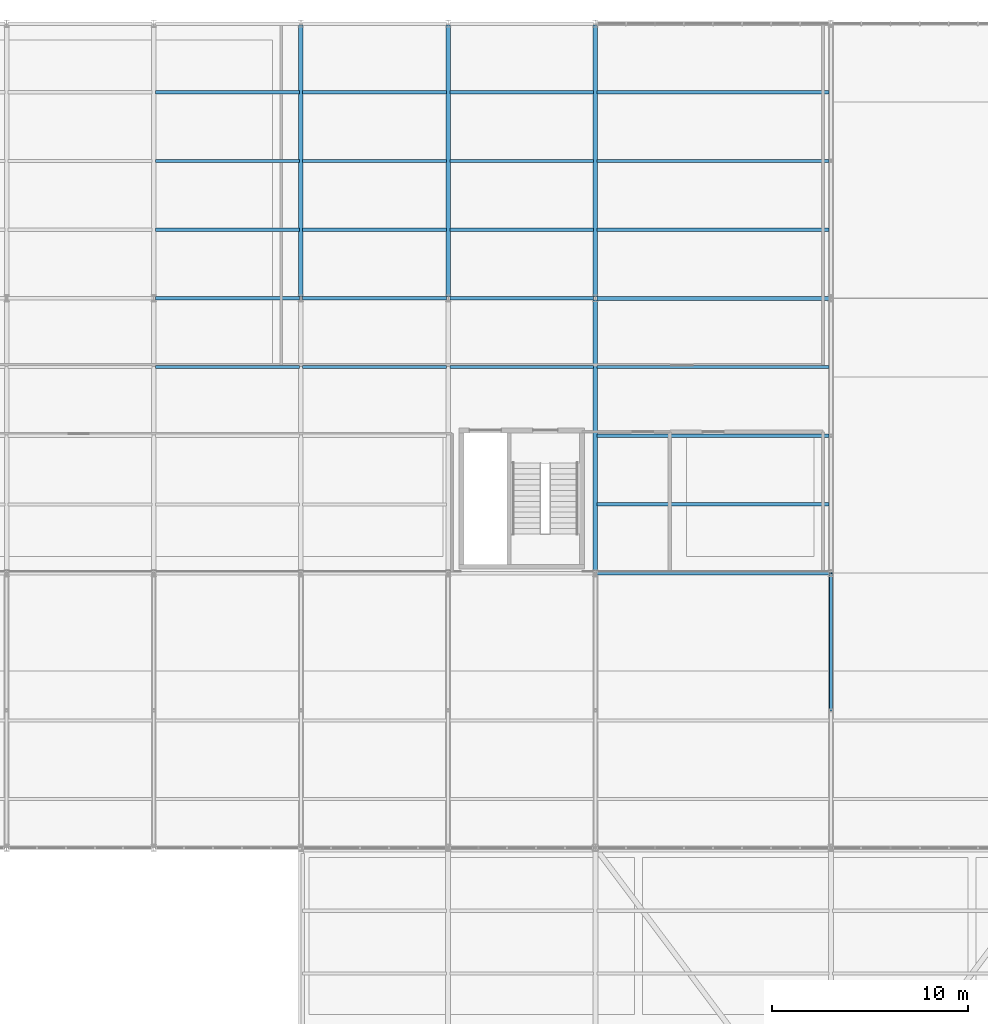
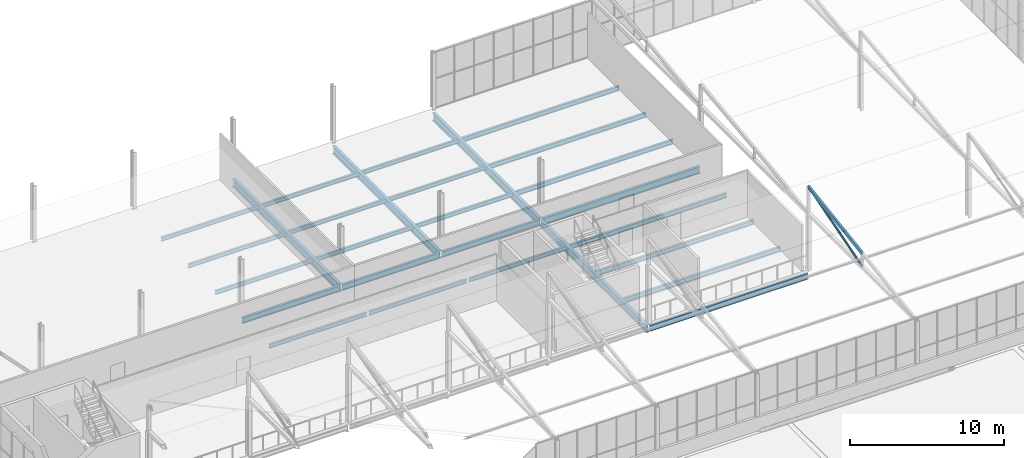
# One storey, part 65 of 104: 27 beams, 2 members.
"""IFC4 building model written with IfcOpenShell, lengths in metres."""

from ifc_helpers import new_model, si_unit, direction, frame, origin, origin_2d, place, context, subcontext, project, spatial, hollow_rectangle, hollow_circle, i_section, extrude, material, material_profile, profile_set, type_object, element, save


model = new_model("IFC4")

# Units and contexts
model_context = context("Model", 3, precision=1e-05, world=origin(), true_north=direction((0.0, 1.0)))
body_context = subcontext(model_context, "Body", "Model", "MODEL_VIEW")
ifc_project = project(units=[si_unit("LENGTHUNIT", "METRE"), si_unit("AREAUNIT", "SQUARE_METRE"), si_unit("VOLUMEUNIT", "CUBIC_METRE"), si_unit("PLANEANGLEUNIT", "RADIAN"), si_unit("MASSUNIT", "GRAM", prefix="KILO")], contexts=[model_context])

# Site, building, storey
site_placement = place(None, origin())
site = spatial("IfcSite", under=ifc_project, at=site_placement, CompositionType="ELEMENT")
building_placement = place(site_placement, origin())
building = spatial("IfcBuilding", under=site, at=building_placement, Name="Solvenia Promenade Tram Depot", CompositionType="ELEMENT")
storey_placement = place(building_placement, frame((0.0, 0.0, 9.0)))
storey = spatial("IfcBuildingStorey", under=building, at=storey_placement, Name="L02", CompositionType="ELEMENT", Elevation=9.0)

# Beams
ifc_material_1 = material(Name="Structural steel ASTM A992 Gr. 50", Category="steel")
ifc_material_profile_1 = material_profile(ifc_material_1, i_section(OverallWidth=0.19091796875, OverallDepth=0.4599609375, WebThickness=0.010009765625, FlangeThickness=0.01611328125, FilletRadius=0.012939453125, at=origin_2d()), Name="W460x82", Category="steel")
ifc_profile_set_1 = profile_set([ifc_material_profile_1], Name="Structural steel ASTM A992 Gr. 50")
beam_type_1 = type_object("IfcBeamType", Name="Beam-W460x82", PredefinedType="BEAM", material=ifc_profile_set_1)
for number, where, z_axis, x_axis, name in (
    (1, (127.5849609375, 52.0, -0.469970703125), (1.0, 0.0, 0.0), (0.0, 1.0, 0.0), "Primary Girder BM-L02-0458"),
    (2, (135.0849609375, 52.0, -0.469970703125), (1.0, 0.0, 0.0), (0.0, 1.0, 0.0), "Primary Girder BM-L02-0459"),
    (3, (142.5849609375, 52.0, -0.469970703125), (1.0, 0.0, 0.0), (0.0, 1.0, 0.0), "Primary Girder BM-L02-0460"),
):
    element("IfcBeam", number, at=place(storey_placement, frame(where, z_axis=z_axis, x_axis=x_axis)), inside=storey, type_object=beam_type_1, Name=name, PredefinedType="BEAM", context=body_context, shape_type="SweptSolid", body=[
        extrude(i_section(OverallWidth=0.19091796875, OverallDepth=0.4599609375, WebThickness=0.010009765625, FlangeThickness=0.01611328125, FilletRadius=0.012939453125, at=origin_2d()), origin(), (0.0, 0.0, 1.0), 7.330078125),
    ])

# Member
ifc_material_2 = material(Name="Structural steel ASTM A500 Gr. C", Category="steel")
ifc_material_profile_2 = material_profile(ifc_material_2, hollow_rectangle(XDim=0.14990234375, YDim=0.25, WallThickness=0.010009765625, at=origin_2d()), Name="HSS250x150x10", Category="steel")
ifc_profile_set_2 = profile_set([ifc_material_profile_2], Name="Structural steel ASTM A500 Gr. C")
member_type_1 = type_object("IfcMemberType", Name="Chord-HSS250x150x10", PredefinedType="CHORD", material=ifc_profile_set_2)
member_1_placement = place(storey_placement, frame((162.0, 31.0, 5.530029296875), z_axis=(0.0, 0.988935340875, 0.148347199397), x_axis=(-1.0, 0.0, 0.0)))
element("IfcMember", 4, at=member_1_placement, inside=storey, type_object=member_type_1, Name="Crane Hall Clerestory Rafter 08N", PredefinedType="CHORD", context=body_context, shape_type="SweptSolid", body=[
    extrude(hollow_rectangle(XDim=0.14990234375, YDim=0.25, WallThickness=0.010009765625, at=origin_2d()), origin(), (0.0, 0.0, 1.0), 7.078369140625),
])

# Beams
ifc_material_profile_3 = material_profile(ifc_material_1, i_section(OverallWidth=0.2099609375, OverallDepth=0.537109375, WebThickness=0.010986328125, FlangeThickness=0.017333984375, FilletRadius=0.013916015625, at=origin_2d()), Name="W530x101", Category="steel")
ifc_profile_set_3 = profile_set([ifc_material_profile_3], Name="Structural steel ASTM A992 Gr. 50")
beam_type_2 = type_object("IfcBeamType", Name="Gird-W530x101", PredefinedType="BEAM", material=ifc_profile_set_3)
beam_1_placement = place(storey_placement, frame((150.0849609375, 52.0, -0.508544921875), z_axis=(1.0, 0.0, 0.0), x_axis=(0.0, 1.0, 0.0)))
element("IfcBeam", 5, at=beam_1_placement, inside=storey, type_object=beam_type_2, Name="Primary Girder BM-L02-0461", PredefinedType="BEAM", context=body_context, shape_type="SweptSolid", body=[
    extrude(i_section(OverallWidth=0.2099609375, OverallDepth=0.537109375, WebThickness=0.010986328125, FlangeThickness=0.017333984375, FilletRadius=0.013916015625, at=origin_2d()), origin(), (0.0, 0.0, 1.0), 11.830078125),
])
ifc_material_profile_4 = material_profile(ifc_material_1, i_section(OverallWidth=0.22900390625, OverallDepth=0.612060546875, WebThickness=0.011962890625, FlangeThickness=0.01953125, FilletRadius=0.014892578125, at=origin_2d()), Name="W610x125", Category="steel")
ifc_profile_set_4 = profile_set([ifc_material_profile_4], Name="Structural steel ASTM A992 Gr. 50")
beam_type_3 = type_object("IfcBeamType", Name="Gird-W610x125", PredefinedType="BEAM", material=ifc_profile_set_4)
for number, where, z_axis, x_axis, name in (
    (6, (135.0, 52.0849609375, -0.5458984375), (0.0, 1.0, 0.0), (-1.0, 0.0, 0.0), "Transverse Girder BM-L02-0478"),
    (7, (142.5, 52.0849609375, -0.5458984375), (0.0, 1.0, 0.0), (-1.0, 0.0, 0.0), "Transverse Girder BM-L02-0480"),
    (8, (150.0, 38.0849609375, -0.5458984375), (0.0, 1.0, 0.0), (-1.0, 0.0, 0.0), "Transverse Girder BM-L02-0481"),
    (9, (150.0, 52.0849609375, -0.5458984375), (0.0, 1.0, 0.0), (-1.0, 0.0, 0.0), "Transverse Girder BM-L02-0482"),
):
    element("IfcBeam", number, at=place(storey_placement, frame(where, z_axis=z_axis, x_axis=x_axis)), inside=storey, type_object=beam_type_3, Name=name, PredefinedType="BEAM", context=body_context, shape_type="SweptSolid", body=[
        extrude(i_section(OverallWidth=0.22900390625, OverallDepth=0.612060546875, WebThickness=0.011962890625, FlangeThickness=0.01953125, FilletRadius=0.014892578125, at=origin_2d()), origin(), (0.0, 0.0, 1.0), 13.830078125),
    ])
ifc_material_profile_5 = material_profile(ifc_material_1, i_section(OverallWidth=0.166015625, OverallDepth=0.31298828125, WebThickness=0.006591796875, FlangeThickness=0.01123046875, FilletRadius=0.010009765625, at=origin_2d()), Name="W310x45", Category="steel")
ifc_profile_set_5 = profile_set([ifc_material_profile_5], Name="Structural steel ASTM A992 Gr. 50")
beam_type_4 = type_object("IfcBeamType", Name="Joist-W310x45", PredefinedType="JOIST", material=ifc_profile_set_5)
for number, where, z_axis, x_axis, name in (
    (10, (127.5849609375, 48.5, -0.396484375), (1.0, 0.0, 0.0), (0.0, 1.0, 0.0), "Secondary Floor Joist BM-L02-0503"),
    (11, (127.5849609375, 55.5, -0.396484375), (1.0, 0.0, 0.0), (0.0, 1.0, 0.0), "Secondary Floor Joist BM-L02-0504"),
    (12, (127.5849609375, 59.0, -0.396484375), (1.0, 0.0, 0.0), (0.0, 1.0, 0.0), "Secondary Floor Joist BM-L02-0505"),
    (13, (127.5849609375, 62.5, -0.396484375), (1.0, 0.0, 0.0), (0.0, 1.0, 0.0), "Secondary Floor Joist BM-L02-0506"),
    (14, (135.0849609375, 48.5, -0.396484375), (1.0, 0.0, 0.0), (0.0, 1.0, 0.0), "Secondary Floor Joist BM-L02-0509"),
    (15, (135.0849609375, 55.5, -0.396484375), (1.0, 0.0, 0.0), (0.0, 1.0, 0.0), "Secondary Floor Joist BM-L02-0510"),
    (16, (135.0849609375, 59.0, -0.396484375), (1.0, 0.0, 0.0), (0.0, 1.0, 0.0), "Secondary Floor Joist BM-L02-0511"),
    (17, (135.0849609375, 62.5, -0.396484375), (1.0, 0.0, 0.0), (0.0, 1.0, 0.0), "Secondary Floor Joist BM-L02-0512"),
    (18, (142.5849609375, 48.5, -0.396484375), (1.0, 0.0, 0.0), (0.0, 1.0, 0.0), "Secondary Floor Joist BM-L02-0513"),
    (19, (142.5849609375, 55.5, -0.396484375), (1.0, 0.0, 0.0), (0.0, 1.0, 0.0), "Secondary Floor Joist BM-L02-0514"),
    (20, (142.5849609375, 59.0, -0.396484375), (1.0, 0.0, 0.0), (0.0, 1.0, 0.0), "Secondary Floor Joist BM-L02-0515"),
    (21, (142.5849609375, 62.5, -0.396484375), (1.0, 0.0, 0.0), (0.0, 1.0, 0.0), "Secondary Floor Joist BM-L02-0516"),
):
    element("IfcBeam", number, at=place(storey_placement, frame(where, z_axis=z_axis, x_axis=x_axis)), inside=storey, type_object=beam_type_4, Name=name, PredefinedType="JOIST", context=body_context, shape_type="SweptSolid", body=[
        extrude(i_section(OverallWidth=0.166015625, OverallDepth=0.31298828125, WebThickness=0.006591796875, FlangeThickness=0.01123046875, FilletRadius=0.010009765625, at=origin_2d()), origin(), (0.0, 0.0, 1.0), 7.330078125),
    ])
ifc_material_profile_6 = material_profile(ifc_material_1, i_section(OverallWidth=0.172119140625, OverallDepth=0.35791015625, WebThickness=0.0078125, FlangeThickness=0.01318359375, FilletRadius=0.010986328125, at=origin_2d()), Name="W360x57", Category="steel")
ifc_profile_set_6 = profile_set([ifc_material_profile_6], Name="Structural steel ASTM A992 Gr. 50")
beam_type_5 = type_object("IfcBeamType", Name="Joist-W360x57", PredefinedType="JOIST", material=ifc_profile_set_6)
for number, where, z_axis, x_axis, name in (
    (22, (150.0849609375, 41.5, -0.4189453125), (1.0, 0.0, 0.0), (0.0, 1.0, 0.0), "Secondary Floor Joist BM-L02-0517"),
    (23, (150.0849609375, 45.0, -0.4189453125), (1.0, 0.0, 0.0), (0.0, 1.0, 0.0), "Secondary Floor Joist BM-L02-0518"),
    (24, (150.0849609375, 48.5, -0.4189453125), (1.0, 0.0, 0.0), (0.0, 1.0, 0.0), "Secondary Floor Joist BM-L02-0519"),
    (25, (150.0849609375, 55.5, -0.4189453125), (1.0, 0.0, 0.0), (0.0, 1.0, 0.0), "Secondary Floor Joist BM-L02-0520"),
    (26, (150.0849609375, 59.0, -0.4189453125), (1.0, 0.0, 0.0), (0.0, 1.0, 0.0), "Secondary Floor Joist BM-L02-0521"),
    (27, (150.0849609375, 62.5, -0.4189453125), (1.0, 0.0, 0.0), (0.0, 1.0, 0.0), "Secondary Floor Joist BM-L02-0522"),
):
    element("IfcBeam", number, at=place(storey_placement, frame(where, z_axis=z_axis, x_axis=x_axis)), inside=storey, type_object=beam_type_5, Name=name, PredefinedType="JOIST", context=body_context, shape_type="SweptSolid", body=[
        extrude(i_section(OverallWidth=0.172119140625, OverallDepth=0.35791015625, WebThickness=0.0078125, FlangeThickness=0.01318359375, FilletRadius=0.010986328125, at=origin_2d()), origin(), (0.0, 0.0, 1.0), 11.830078125),
    ])
ifc_material_profile_7 = material_profile(ifc_material_1, i_section(OverallWidth=0.19091796875, OverallDepth=0.4599609375, WebThickness=0.010009765625, FlangeThickness=0.01611328125, FilletRadius=0.012939453125, at=origin_2d()), Name="W460x82", Category="steel")
ifc_profile_set_7 = profile_set([ifc_material_profile_7], Name="Structural steel ASTM A992 Gr. 50")
beam_type_6 = type_object("IfcBeamType", Name="Spandrel-W460x82", PredefinedType="SPANDREL", material=ifc_profile_set_7)
beam_2_placement = place(storey_placement, frame((150.0849609375, 38.0, -0.469970703125), z_axis=(1.0, 0.0, 0.0), x_axis=(0.0, 1.0, 0.0)))
element("IfcBeam", 28, at=beam_2_placement, inside=storey, type_object=beam_type_6, Name="Perimeter Spandrel BM-L02-0454", PredefinedType="SPANDREL", context=body_context, shape_type="SweptSolid", body=[
    extrude(i_section(OverallWidth=0.19091796875, OverallDepth=0.4599609375, WebThickness=0.010009765625, FlangeThickness=0.01611328125, FilletRadius=0.012939453125, at=origin_2d()), origin(), (0.0, 0.0, 1.0), 11.830078125),
])

# Member
ifc_material_profile_8 = material_profile(ifc_material_2, hollow_circle(Radius=0.084228515625, WallThickness=0.008056640625, at=origin_2d()), Name="CHS168.3x8", Category="steel")
ifc_profile_set_8 = profile_set([ifc_material_profile_8], Name="Structural steel ASTM A500 Gr. C")
member_type_2 = type_object("IfcMemberType", Name="WebDiag-CHS168x8", PredefinedType="BRACE", material=ifc_profile_set_8)
member_2_placement = place(storey_placement, frame((162.0, 31.0, 4.47998046875), z_axis=(0.0, 0.957822607396, 0.287360144699), x_axis=(-1.0, 0.0, 0.0)))
element("IfcMember", 29, at=member_2_placement, inside=storey, type_object=member_type_2, Name="Crane Hall Truss Web Diagonal 08", PredefinedType="BRACE", context=body_context, shape_type="SweptSolid", body=[
    extrude(hollow_circle(Radius=0.084228515625, WallThickness=0.008056640625, at=origin_2d()), origin(), (0.0, 0.0, 1.0), 7.308349609375),
])

save(model, "model.ifc")
